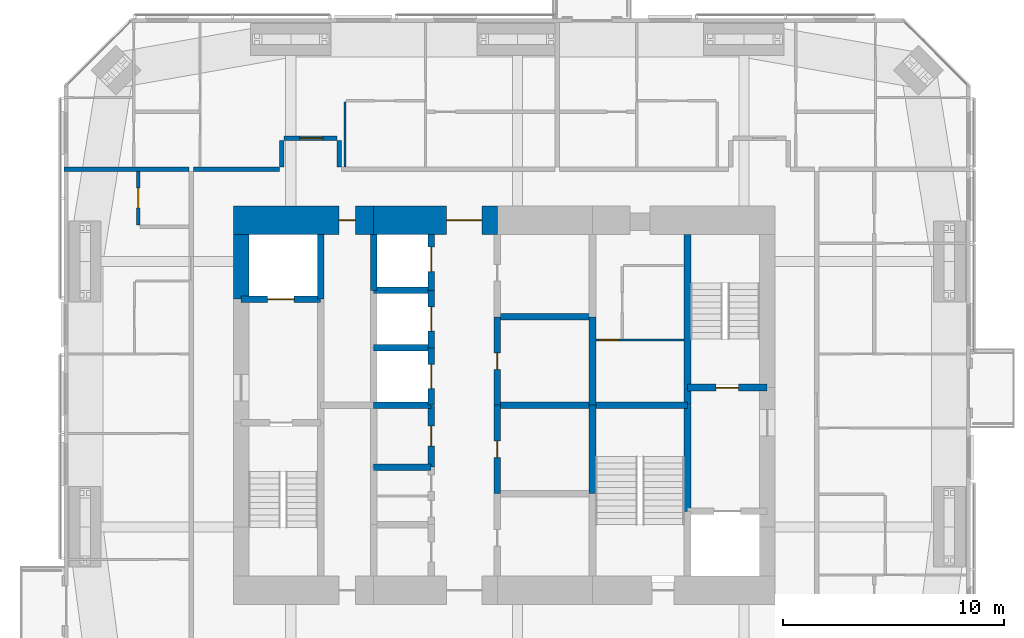
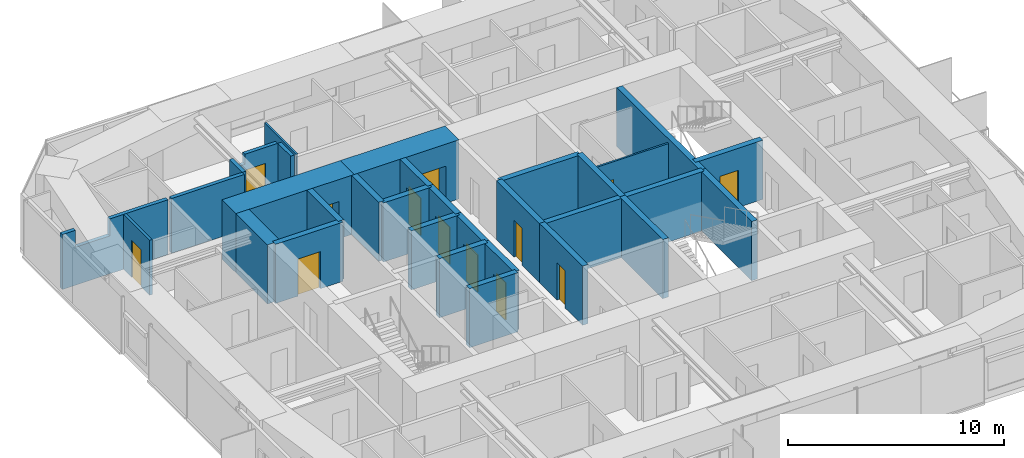
# One storey, part 18 of 23: 32 walls, 13 doors, 13 openings.
"""IFC4 building model written with IfcOpenShell, lengths in metres."""

import ifcopenshell
import ifcopenshell.guid

model = None  # the IFC model being written
_history = None  # IfcOwnerHistory: only IFC2X3 demands one
_inside = {}  # id of a spatial element -> (the spatial element, [elements in it])
_under = {}  # id of a project, library or spatial element -> (it, [spatial elements below it])
_declared = {}  # id of a project -> (the project, [libraries it declares])
_typed = {}  # id of a type object -> (the type object, [elements of that type])
_made_of = {}  # id of a material, layer set ... -> (it, [elements and type objects made of it])


def new_model(schema):
    """Start an empty IFC model of exactly this schema.

    Asked for "IFC4X3", IfcOpenShell would pick the latest addendum, in which some entities
    have other attributes; the version numbers below select the first issue.
    IFC2X3 requires an IfcOwnerHistory on every rooted entity: one is made here for all.
    """
    global model, _history
    if schema == "IFC4X3":
        model = ifcopenshell.file(schema_version=(4, 3, 0, 0))
    else:
        model = ifcopenshell.file(schema=schema)
    _inside.clear()
    _under.clear()
    _declared.clear()
    _typed.clear()
    _made_of.clear()
    _history = None
    if model.schema == "IFC2X3":
        org = make("IfcOrganization", Name="unknown")
        user = make(
            "IfcPersonAndOrganization",
            ThePerson=make("IfcPerson", FamilyName="unknown"),
            TheOrganization=org,
        )
        app = make(
            "IfcApplication",
            ApplicationDeveloper=org,
            Version="unknown",
            ApplicationFullName="unknown",
            ApplicationIdentifier="unknown",
        )
        _history = make(
            "IfcOwnerHistory",
            OwningUser=user,
            OwningApplication=app,
            ChangeAction="ADDED",
            CreationDate=0,
        )
    return model


def make(cls, **values):
    """One entity of the class cls with the attributes given. An attribute that is None is left unset."""
    return model.create_entity(
        cls, **{name: value for name, value in values.items() if value is not None}
    )


def rooted(cls, **values):
    """An entity with a GlobalId (a new one), such as an element, a storey or a relation."""
    return make(cls, GlobalId=ifcopenshell.guid.new(), OwnerHistory=_history, **values)


def si_unit(unit_type, name, prefix=None):
    """IfcSIUnit, for example si_unit("LENGTHUNIT", "METRE", prefix="MILLI")."""
    return make("IfcSIUnit", UnitType=unit_type, Prefix=prefix, Name=name)


def assignment(units):
    """IfcUnitAssignment: the units of a project."""
    return None if units is None else make("IfcUnitAssignment", Units=units)


def point(xyz):
    """IfcCartesianPoint."""
    return None if xyz is None else make("IfcCartesianPoint", Coordinates=xyz)


def direction(xyz):
    """IfcDirection."""
    return None if xyz is None else make("IfcDirection", DirectionRatios=xyz)


def frame(location, z_axis=None, x_axis=None):
    """IfcAxis2Placement3D, a coordinate frame: its origin and axes. An axis left out is left unset."""
    return make(
        "IfcAxis2Placement3D",
        Location=point(location),
        Axis=direction(z_axis),
        RefDirection=direction(x_axis),
    )


def frame_2d(location, x_axis=None):
    """IfcAxis2Placement2D, a coordinate frame in the plane: its origin and x axis."""
    return make(
        "IfcAxis2Placement2D", Location=point(location), RefDirection=direction(x_axis)
    )


def origin():
    """The frame at (0, 0, 0) with its axes left unset."""
    return frame((0.0, 0.0, 0.0))


def place(relative_to, where):
    """IfcLocalPlacement: puts the frame where relative to a parent placement (None: the world)."""
    return make(
        "IfcLocalPlacement", PlacementRelTo=relative_to, RelativePlacement=where
    )


def context(
    kind, dimensions, precision=None, world=None, true_north=None, identifier=None
):
    """IfcGeometricRepresentationContext, for example the 3D "Model" context."""
    return make(
        "IfcGeometricRepresentationContext",
        ContextIdentifier=identifier,
        ContextType=kind,
        CoordinateSpaceDimension=dimensions,
        Precision=precision,
        WorldCoordinateSystem=world,
        TrueNorth=true_north,
    )


def subcontext(parent, identifier, kind, view, scale=None):
    """IfcGeometricRepresentationSubContext, for example "Body" below "Model"."""
    return make(
        "IfcGeometricRepresentationSubContext",
        ContextIdentifier=identifier,
        ContextType=kind,
        ParentContext=parent,
        TargetScale=scale,
        TargetView=view,
    )


def project(units=None, contexts=None):
    """IfcProject with its units and contexts."""
    return rooted(
        "IfcProject",
        Name="project",
        RepresentationContexts=contexts,
        UnitsInContext=assignment(units),
    )


def spatial(cls, under=None, at=None, **own):
    """A site, building, storey or space (cls), placed at a placement, below another one or the project."""
    s = rooted(cls, ObjectPlacement=at, **own)
    if under is not None:
        _under.setdefault(under.id(), (under, []))[1].append(s)
    return s


def polyline(points):
    """IfcPolyline through the points."""
    return make("IfcPolyline", Points=[point(p) for p in points])


def profile(cls, at=None, kind="AREA", **sizes):
    """A parametric profile (cls). Its sizes go by their IFC names, for example OverallWidth=200.0."""
    return make(cls, ProfileType=kind, Position=at, **sizes)


def rectangle(**sizes):
    """IfcRectangleProfileDef."""
    return profile("IfcRectangleProfileDef", **sizes)


def outline(outer, holes=None, kind="AREA"):
    """IfcArbitraryClosedProfileDef: a profile drawn as a closed curve; with holes, ...WithVoids."""
    if holes is None:
        return make("IfcArbitraryClosedProfileDef", ProfileType=kind, OuterCurve=outer)
    return make(
        "IfcArbitraryProfileDefWithVoids",
        ProfileType=kind,
        OuterCurve=outer,
        InnerCurves=holes,
    )


def extrude(swept, where, along, depth):
    """IfcExtrudedAreaSolid: the profile swept, set in the frame where, extruded along a direction by depth."""
    return make(
        "IfcExtrudedAreaSolid",
        SweptArea=swept,
        Position=where,
        ExtrudedDirection=direction(along),
        Depth=depth,
    )


def shape(context_of_items, identifier, shape_type, items):
    """IfcShapeRepresentation: the items that make up one representation, for example the "Body"."""
    return make(
        "IfcShapeRepresentation",
        ContextOfItems=context_of_items,
        RepresentationIdentifier=identifier,
        RepresentationType=shape_type,
        Items=items,
    )


def material(Name=None, Category=None):
    """IfcMaterial."""
    return make("IfcMaterial", Name=Name, Category=Category)


def layer(
    of_material, thickness, ventilated=None, Name=None, Category=None, Priority=None
):
    """IfcMaterialLayer: one layer of a wall or slab, of a material (None: an air gap)."""
    return make(
        "IfcMaterialLayer",
        Material=of_material,
        LayerThickness=thickness,
        IsVentilated=ventilated,
        Name=Name,
        Category=Category,
        Priority=Priority,
    )


def layer_set(layers, Name=None):
    """IfcMaterialLayerSet."""
    return make("IfcMaterialLayerSet", MaterialLayers=layers, LayerSetName=Name)


def constituent(of_material, Name=None, Category=None, fraction=None):
    """IfcMaterialConstituent: one of the materials an element consists of."""
    return make(
        "IfcMaterialConstituent",
        Name=Name,
        Material=of_material,
        Fraction=fraction,
        Category=Category,
    )


def constituent_set(constituents=None, Name=None):
    """IfcMaterialConstituentSet."""
    return make(
        "IfcMaterialConstituentSet", Name=Name, MaterialConstituents=constituents
    )


def made_of(thing, what):
    """Note that an element or type object is made of a material, layer set ...; save() writes the relation."""
    if what is not None:
        _made_of.setdefault(what.id(), (what, []))[1].append(thing)
    return thing


def type_object(cls, material=None, **own):
    """A type object (cls), such as IfcWallType, which elements share."""
    return made_of(rooted(cls, **own), material)


def element(
    cls,
    number,
    at=None,
    inside=None,
    cuts=None,
    type_object=None,
    material=None,
    context=None,
    identifier="Body",
    shape_type=None,
    held_by="IfcProductDefinitionShape",
    body=None,
    shapes=None,
    **own,
):
    """One element of the class cls, such as IfcWall. Its Tag is "e" and its number.

    at: its placement. inside: the storey or other place that contains it. cuts: it is an
    opening in that element (IfcRelVoidsElement). A single representation is given by context,
    identifier, shape_type and body (its items); several are given by shapes. held_by: the class
    of the entity that holds the representations. save() writes the other relations.
    """
    e = rooted(cls, Tag="e%d" % number, ObjectPlacement=at, **own)
    if body is not None:
        shapes = [shape(context, identifier, shape_type, body)]
    if shapes is not None:
        e.Representation = make(held_by, Representations=shapes)
    if inside is not None:
        _inside.setdefault(inside.id(), (inside, []))[1].append(e)
    if cuts is not None:
        rooted(
            "IfcRelVoidsElement", RelatingBuildingElement=cuts, RelatedOpeningElement=e
        )
    if type_object is not None:
        _typed.setdefault(type_object.id(), (type_object, []))[1].append(e)
    return made_of(e, material)


def fill(opening, filler):
    """IfcRelFillsElement: the door or window that sits in an opening."""
    return rooted(
        "IfcRelFillsElement",
        RelatingOpeningElement=opening,
        RelatedBuildingElement=filler,
    )


def aggregate(whole, parts):
    """IfcRelAggregates: a whole, such as a stair, and the parts it consists of."""
    return rooted("IfcRelAggregates", RelatingObject=whole, RelatedObjects=parts)


def save(model, path):
    """Write the relations noted so far, then the file.

    IfcRelAggregates (storeys below a building ...), IfcRelContainedInSpatialStructure (elements
    in a storey), IfcRelDefinesByType, IfcRelAssociatesMaterial and IfcRelDeclares: one each for
    every whole, place, type object, material and project.
    """
    for whole, parts in _under.values():
        aggregate(whole, parts)
    for where, things in _inside.values():
        rooted(
            "IfcRelContainedInSpatialStructure",
            RelatedElements=things,
            RelatingStructure=where,
        )
    for kind, things in _typed.values():
        rooted("IfcRelDefinesByType", RelatedObjects=things, RelatingType=kind)
    for what, things in _made_of.values():
        rooted("IfcRelAssociatesMaterial", RelatedObjects=things, RelatingMaterial=what)
    for by, libraries in _declared.values():
        rooted("IfcRelDeclares", RelatingContext=by, RelatedDefinitions=libraries)
    model.write(path)


model = new_model("IFC4")

# Units and contexts
model_context = context("Model", 3, precision=1e-05, world=origin(), true_north=direction((0.0, 1.0)))
body_context = subcontext(model_context, "Body", "Model", "MODEL_VIEW")
ifc_project = project(units=[si_unit("LENGTHUNIT", "METRE"), si_unit("AREAUNIT", "SQUARE_METRE"), si_unit("VOLUMEUNIT", "CUBIC_METRE"), si_unit("PLANEANGLEUNIT", "RADIAN"), si_unit("MASSUNIT", "GRAM", prefix="KILO")], contexts=[model_context])

# Site, building, storey
site_placement = place(None, origin())
site = spatial("IfcSite", under=ifc_project, at=site_placement, CompositionType="ELEMENT")
building_placement = place(site_placement, origin())
building = spatial("IfcBuilding", under=site, at=building_placement, Name="Jalousie Tower", CompositionType="ELEMENT")
storey_placement = place(building_placement, frame((0.0, 0.0, 197.89990234375)))
storey = spatial("IfcBuildingStorey", under=building, at=storey_placement, Name="L54", CompositionType="ELEMENT", Elevation=197.89990234375)

# Wall, opening, door
ifc_material_1 = material(Name="Concrete block ASTM C90", Category="concrete")
ifc_constituent_1 = constituent(ifc_material_1, Name="Body")
ifc_material_2 = material(Name="Render")
ifc_constituent_2 = constituent(ifc_material_2, Name="Finish")
ifc_constituent_set_1 = constituent_set(constituents=[ifc_constituent_1, ifc_constituent_2])
wall_type_1 = type_object("IfcWallType", Name="BATHROOM WALL 150", PredefinedType="PLUMBINGWALL", material=ifc_constituent_set_1)
wall_1_placement = place(storey_placement, frame((15.35009765625, 26.64990234375, 0.0), z_axis=(0.0, 0.0, 1.0), x_axis=(0.0, 1.0, 0.0)))
wall_1 = element("IfcWall", 1, at=wall_1_placement, inside=storey, type_object=wall_type_1, Name="Bathroom Wall 150 L54", PredefinedType="PLUMBINGWALL", context=body_context, shape_type="SweptSolid", body=[
    extrude(rectangle(XDim=2.425048828125, YDim=0.14990234375, at=frame_2d((1.21240234375, 0.0))), origin(), (0.0, 0.0, 1.0), 3.110107421875),
])
opening_1_placement = place(wall_1_placement, frame((0.77490234375, 0.0, 0.0)))
opening_1 = element("IfcOpeningElement", 2, at=opening_1_placement, cuts=wall_1, Name="Opening D3", PredefinedType="OPENING", context=body_context, shape_type="SweptSolid", body=[
    extrude(rectangle(XDim=0.89990234375, YDim=2.10009765625, at=frame_2d((0.449951171875, 1.050048828125))), frame((0.0, 0.0849609375, 0.0), z_axis=(0.0, -1.0, 0.0), x_axis=(1.0, 0.0, 0.0)), (0.0, 0.0, 1.0), 0.169921875),
])
ifc_material_3 = material(Name="Timber door", Category="wood")
door_type_1 = type_object("IfcDoorType", Name="BATHROOM DOOR 900", OperationType="SINGLE_SWING_LEFT", PredefinedType="DOOR", material=ifc_material_3)
door_1_placement = place(opening_1_placement, frame((0.89990234375, 0.0, 0.0), z_axis=(0.0, 0.0, 1.0), x_axis=(-1.0, 0.0, 0.0)))
door_1 = element("IfcDoor", 3, at=door_1_placement, inside=storey, type_object=door_type_1, Name="Apartment 5406 bathroom door", OperationType="SINGLE_SWING_LEFT", OverallHeight=2.10009765625, OverallWidth=0.89990234375, PredefinedType="DOOR", context=body_context, shape_type="SweptSolid", body=[
    extrude(rectangle(XDim=0.89990234375, YDim=2.10009765625, at=frame_2d((0.449951171875, 1.050048828125))), frame((0.0, 0.02490234375, 0.0), z_axis=(0.0, -1.0, 0.0), x_axis=(1.0, 0.0, 0.0)), (0.0, 0.0, 1.0), 0.050048828125),
])
fill(opening_1, door_1)

ifc_material_4 = material(Name="Concrete f'c 120 MPa", Category="concrete")
ifc_layer_1 = layer(ifc_material_4, 1.300048828125)
ifc_layer_set_1 = layer_set([ifc_layer_1], Name="Concrete f'c 120 MPa")
wall_type_2 = type_object("IfcWallType", Name="CORE WALL 1300", PredefinedType="SHEAR", material=ifc_layer_set_1)
wall_2_placement = place(storey_placement, frame((31.60009765625, 26.875, 0.0), z_axis=(0.0, 0.0, 1.0), x_axis=(-1.0, 0.0, 0.0)))
wall_2 = element("IfcWall", 4, at=wall_2_placement, inside=storey, type_object=wall_type_2, Name="Core wall NC L54", PredefinedType="SHEAR", context=body_context, shape_type="SweptSolid", body=[
    extrude(rectangle(XDim=5.60009765625, YDim=1.300048828125, at=frame_2d((2.800048828125, 0.0))), origin(), (0.0, 0.0, 1.0), 3.35009765625),
])
opening_2_placement = place(wall_2_placement, frame((0.699951171875, 0.0, 0.0)))
opening_2 = element("IfcOpeningElement", 5, at=opening_2_placement, cuts=wall_2, Name="Opening D15", PredefinedType="OPENING", context=body_context, shape_type="SweptSolid", body=[
    extrude(rectangle(XDim=1.60009765625, YDim=2.10009765625, at=frame_2d((0.800048828125, 1.050048828125))), frame((0.0, 0.659912109375, 0.0), z_axis=(0.0, -1.0, 0.0), x_axis=(1.0, 0.0, 0.0)), (0.0, 0.0, 1.0), 1.320068359375),
])
ifc_material_5 = material(Name="Steel fire door", Category="steel")
door_type_2 = type_object("IfcDoorType", Name="LIFT LOBBY DOOR 1600", OperationType="DOUBLE_DOOR_SINGLE_SWING", PredefinedType="DOOR", material=ifc_material_5)
door_2_placement = place(opening_2_placement, origin())
door_2 = element("IfcDoor", 6, at=door_2_placement, inside=storey, type_object=door_type_2, Name="Lift lobby north door", OperationType="DOUBLE_DOOR_SINGLE_SWING", OverallHeight=2.10009765625, OverallWidth=1.60009765625, PredefinedType="DOOR", context=body_context, shape_type="SweptSolid", body=[
    extrude(rectangle(XDim=1.60009765625, YDim=2.10009765625, at=frame_2d((0.800048828125, 1.050048828125))), frame((0.0, 0.02490234375, 0.0), z_axis=(0.0, -1.0, 0.0), x_axis=(1.0, 0.0, 0.0)), (0.0, 0.0, 1.0), 0.050048828125),
])
fill(opening_2, door_2)

wall_3_placement = place(storey_placement, frame((26.0, 26.875, 0.0), z_axis=(0.0, 0.0, 1.0), x_axis=(-1.0, 0.0, 0.0)))
wall_3 = element("IfcWall", 7, at=wall_3_placement, inside=storey, type_object=wall_type_2, Name="Core wall ND L54", PredefinedType="SHEAR", context=body_context, shape_type="SweptSolid", body=[
    extrude(rectangle(XDim=6.35009765625, YDim=1.300048828125, at=frame_2d((3.175048828125, 0.0))), origin(), (0.0, 0.0, 1.0), 3.35009765625),
])
opening_3_placement = place(wall_3_placement, frame((0.824951171875, 0.0, 0.0)))
opening_3 = element("IfcOpeningElement", 8, at=opening_3_placement, cuts=wall_3, Name="Opening D16", PredefinedType="OPENING", context=body_context, shape_type="SweptSolid", body=[
    extrude(rectangle(XDim=0.75, YDim=2.10009765625, at=frame_2d((0.375, 1.050048828125))), frame((0.0, 0.659912109375, 0.0), z_axis=(0.0, -1.0, 0.0), x_axis=(1.0, 0.0, 0.0)), (0.0, 0.0, 1.0), 1.320068359375),
])
ifc_material_6 = material(Name="Steel fire door", Category="steel")
door_type_3 = type_object("IfcDoorType", Name="RISER DOOR 750", OperationType="SINGLE_SWING_LEFT", PredefinedType="DOOR", material=ifc_material_6)
door_3_placement = place(opening_3_placement, origin())
door_3 = element("IfcDoor", 9, at=door_3_placement, inside=storey, type_object=door_type_3, Name="North riser door", OperationType="SINGLE_SWING_RIGHT", OverallHeight=2.10009765625, OverallWidth=0.75, PredefinedType="DOOR", context=body_context, shape_type="SweptSolid", body=[
    extrude(rectangle(XDim=0.75, YDim=2.10009765625, at=frame_2d((0.375, 1.050048828125))), frame((0.0, 0.02490234375, 0.0), z_axis=(0.0, -1.0, 0.0), x_axis=(1.0, 0.0, 0.0)), (0.0, 0.0, 1.0), 0.050048828125),
])
fill(opening_3, door_3)

# Walls
ifc_material_7 = material(Name="Concrete f'c 120 MPa", Category="concrete")
ifc_layer_2 = layer(ifc_material_7, 0.300048828125)
ifc_layer_set_2 = layer_set([ifc_layer_2], Name="Concrete f'c 120 MPa")
wall_type_3 = type_object("IfcWallType", Name="CORE WALL 300", PredefinedType="SHEAR", material=ifc_layer_set_2)
wall_4_placement = place(storey_placement, frame((23.60009765625, 23.300048828125, 0.0), z_axis=(0.0, 0.0, 1.0), x_axis=(0.0, 1.0, 0.0)))
element("IfcWall", 10, at=wall_4_placement, inside=storey, type_object=wall_type_3, Name="Core wall X23.6C L54", PredefinedType="SHEAR", context=body_context, shape_type="SweptSolid", body=[
    extrude(rectangle(XDim=2.925048828125, YDim=0.300048828125, at=frame_2d((1.46240234375, 0.0))), origin(), (0.0, 0.0, 1.0), 3.35009765625),
])
wall_5_placement = place(storey_placement, frame((26.0, 23.699951171875, 0.0), z_axis=(0.0, 0.0, 1.0), x_axis=(0.0, 1.0, 0.0)))
element("IfcWall", 11, at=wall_5_placement, inside=storey, type_object=wall_type_3, Name="Core wall X26F L54", PredefinedType="SHEAR", context=body_context, shape_type="SweptSolid", body=[
    extrude(rectangle(XDim=2.525146484375, YDim=0.300048828125, at=frame_2d((1.2626953125, 0.0))), origin(), (0.0, 0.0, 1.0), 3.35009765625),
])

# Wall, opening, door
wall_6_placement = place(storey_placement, frame((28.60009765625, 15.699951171875, 0.0), z_axis=(0.0, 0.0, 1.0), x_axis=(0.0, 1.0, 0.0)))
wall_6 = element("IfcWall", 12, at=wall_6_placement, inside=storey, type_object=wall_type_3, Name="Core wall X28.6C L54", PredefinedType="SHEAR", context=body_context, shape_type="SweptSolid", body=[
    extrude(rectangle(XDim=2.800048828125, YDim=0.300048828125, at=frame_2d((1.39990234375, 0.0))), origin(), (0.0, 0.0, 1.0), 3.35009765625),
])
opening_4_placement = place(wall_6_placement, frame((0.949951171875, 0.0, 0.0)))
opening_4 = element("IfcOpeningElement", 13, at=opening_4_placement, cuts=wall_6, Name="Opening D24", PredefinedType="OPENING", context=body_context, shape_type="SweptSolid", body=[
    extrude(rectangle(XDim=0.89990234375, YDim=2.10009765625, at=frame_2d((0.449951171875, 1.050048828125))), frame((0.0, 0.159912109375, 0.0), z_axis=(0.0, -1.0, 0.0), x_axis=(1.0, 0.0, 0.0)), (0.0, 0.0, 1.0), 0.320068359375),
])
ifc_material_8 = material(Name="Steel fire door", Category="steel")
door_type_4 = type_object("IfcDoorType", Name="CORE ROOM DOOR 900", OperationType="SINGLE_SWING_LEFT", PredefinedType="DOOR", material=ifc_material_8)
door_4_placement = place(opening_4_placement, origin())
door_4 = element("IfcDoor", 14, at=door_4_placement, inside=storey, type_object=door_type_4, Name="IT room door", OperationType="SINGLE_SWING_LEFT", OverallHeight=2.10009765625, OverallWidth=0.89990234375, PredefinedType="DOOR", context=body_context, shape_type="SweptSolid", body=[
    extrude(rectangle(XDim=0.89990234375, YDim=2.10009765625, at=frame_2d((0.449951171875, 1.050048828125))), frame((0.0, 0.02490234375, 0.0), z_axis=(0.0, -1.0, 0.0), x_axis=(1.0, 0.0, 0.0)), (0.0, 0.0, 1.0), 0.050048828125),
])
fill(opening_4, door_4)

wall_7_placement = place(storey_placement, frame((28.60009765625, 18.5, 0.0), z_axis=(0.0, 0.0, 1.0), x_axis=(0.0, 1.0, 0.0)))
wall_7 = element("IfcWall", 15, at=wall_7_placement, inside=storey, type_object=wall_type_3, Name="Core wall X28.6D L54", PredefinedType="SHEAR", context=body_context, shape_type="SweptSolid", body=[
    extrude(rectangle(XDim=2.60009765625, YDim=0.300048828125, at=frame_2d((1.300048828125, 0.0))), origin(), (0.0, 0.0, 1.0), 3.35009765625),
])
opening_5_placement = place(wall_7_placement, frame((0.75, 0.0, 0.0)))
opening_5 = element("IfcOpeningElement", 16, at=opening_5_placement, cuts=wall_7, Name="Opening LD1", PredefinedType="OPENING", context=body_context, shape_type="SweptSolid", body=[
    extrude(rectangle(XDim=1.10009765625, YDim=2.10009765625, at=frame_2d((0.550048828125, 1.050048828125))), frame((0.0, 0.159912109375, 0.0), z_axis=(0.0, -1.0, 0.0), x_axis=(1.0, 0.0, 0.0)), (0.0, 0.0, 1.0), 0.320068359375),
])
ifc_material_9 = material(Name="Steel lift landing door", Category="steel")
door_type_5 = type_object("IfcDoorType", Name="LIFT LANDING DOOR 1100", OperationType="SLIDING_TO_LEFT", PredefinedType="DOOR", material=ifc_material_9)
door_5_placement = place(opening_5_placement, origin())
door_5 = element("IfcDoor", 17, at=door_5_placement, inside=storey, type_object=door_type_5, Name="Lift P4 landing door", OperationType="SLIDING_TO_LEFT", OverallHeight=2.10009765625, OverallWidth=1.10009765625, PredefinedType="DOOR", context=body_context, shape_type="SweptSolid", body=[
    extrude(rectangle(XDim=1.10009765625, YDim=2.10009765625, at=frame_2d((0.550048828125, 1.050048828125))), frame((0.0, 0.02490234375, 0.0), z_axis=(0.0, -1.0, 0.0), x_axis=(1.0, 0.0, 0.0)), (0.0, 0.0, 1.0), 0.050048828125),
])
fill(opening_5, door_5)

wall_8_placement = place(storey_placement, frame((28.60009765625, 21.10009765625, 0.0), z_axis=(0.0, 0.0, 1.0), x_axis=(0.0, 1.0, 0.0)))
wall_8 = element("IfcWall", 18, at=wall_8_placement, inside=storey, type_object=wall_type_3, Name="Core wall X28.6E L54", PredefinedType="SHEAR", context=body_context, shape_type="SweptSolid", body=[
    extrude(rectangle(XDim=2.599853515625, YDim=0.300048828125, at=frame_2d((1.2998046875, 0.0))), origin(), (0.0, 0.0, 1.0), 3.35009765625),
])
opening_6_placement = place(wall_8_placement, frame((0.75, 0.0, 0.0)))
opening_6 = element("IfcOpeningElement", 19, at=opening_6_placement, cuts=wall_8, Name="Opening LD1", PredefinedType="OPENING", context=body_context, shape_type="SweptSolid", body=[
    extrude(rectangle(XDim=1.10009765625, YDim=2.10009765625, at=frame_2d((0.550048828125, 1.050048828125))), frame((0.0, 0.159912109375, 0.0), z_axis=(0.0, -1.0, 0.0), x_axis=(1.0, 0.0, 0.0)), (0.0, 0.0, 1.0), 0.320068359375),
])
door_6_placement = place(opening_6_placement, origin())
door_6 = element("IfcDoor", 20, at=door_6_placement, inside=storey, type_object=door_type_5, Name="Lift P5 landing door", OperationType="SLIDING_TO_LEFT", OverallHeight=2.10009765625, OverallWidth=1.10009765625, PredefinedType="DOOR", context=body_context, shape_type="SweptSolid", body=[
    extrude(rectangle(XDim=1.10009765625, YDim=2.10009765625, at=frame_2d((0.550048828125, 1.050048828125))), frame((0.0, 0.02490234375, 0.0), z_axis=(0.0, -1.0, 0.0), x_axis=(1.0, 0.0, 0.0)), (0.0, 0.0, 1.0), 0.050048828125),
])
fill(opening_6, door_6)

wall_9_placement = place(storey_placement, frame((28.60009765625, 23.699951171875, 0.0), z_axis=(0.0, 0.0, 1.0), x_axis=(0.0, 1.0, 0.0)))
wall_9 = element("IfcWall", 21, at=wall_9_placement, inside=storey, type_object=wall_type_3, Name="Core wall X28.6F L54", PredefinedType="SHEAR", context=body_context, shape_type="SweptSolid", body=[
    extrude(rectangle(XDim=2.525146484375, YDim=0.300048828125, at=frame_2d((1.2626953125, 0.0))), origin(), (0.0, 0.0, 1.0), 3.35009765625),
])
opening_7_placement = place(wall_9_placement, frame((0.85009765625, 0.0, 0.0)))
opening_7 = element("IfcOpeningElement", 22, at=opening_7_placement, cuts=wall_9, Name="Opening LD1", PredefinedType="OPENING", context=body_context, shape_type="SweptSolid", body=[
    extrude(rectangle(XDim=1.10009765625, YDim=2.10009765625, at=frame_2d((0.550048828125, 1.050048828125))), frame((0.0, 0.159912109375, 0.0), z_axis=(0.0, -1.0, 0.0), x_axis=(1.0, 0.0, 0.0)), (0.0, 0.0, 1.0), 0.320068359375),
])
door_7_placement = place(opening_7_placement, origin())
door_7 = element("IfcDoor", 23, at=door_7_placement, inside=storey, type_object=door_type_5, Name="Lift P6 landing door", OperationType="SLIDING_TO_LEFT", OverallHeight=2.10009765625, OverallWidth=1.10009765625, PredefinedType="DOOR", context=body_context, shape_type="SweptSolid", body=[
    extrude(rectangle(XDim=1.10009765625, YDim=2.10009765625, at=frame_2d((0.550048828125, 1.050048828125))), frame((0.0, 0.02490234375, 0.0), z_axis=(0.0, -1.0, 0.0), x_axis=(1.0, 0.0, 0.0)), (0.0, 0.0, 1.0), 0.050048828125),
])
fill(opening_7, door_7)

wall_10_placement = place(storey_placement, frame((31.60009765625, 14.5, 0.0), z_axis=(0.0, 0.0, 1.0), x_axis=(0.0, 1.0, 0.0)))
wall_10 = element("IfcWall", 24, at=wall_10_placement, inside=storey, type_object=wall_type_3, Name="Core wall X31.6B L54", PredefinedType="SHEAR", context=body_context, shape_type="SweptSolid", body=[
    extrude(rectangle(XDim=4.0, YDim=0.300048828125, at=frame_2d((2.0, 0.0))), origin(), (0.0, 0.0, 1.0), 3.35009765625),
])
opening_8_placement = place(wall_10_placement, frame((1.625, 0.0, 0.0)))
opening_8 = element("IfcOpeningElement", 25, at=opening_8_placement, cuts=wall_10, Name="Opening D16", PredefinedType="OPENING", context=body_context, shape_type="SweptSolid", body=[
    extrude(rectangle(XDim=0.75, YDim=2.10009765625, at=frame_2d((0.375, 1.050048828125))), frame((0.0, 0.159912109375, 0.0), z_axis=(0.0, -1.0, 0.0), x_axis=(1.0, 0.0, 0.0)), (0.0, 0.0, 1.0), 0.320068359375),
])
door_8_placement = place(opening_8_placement, frame((0.75, 0.0, 0.0), z_axis=(0.0, 0.0, 1.0), x_axis=(-1.0, 0.0, 0.0)))
door_8 = element("IfcDoor", 26, at=door_8_placement, inside=storey, type_object=door_type_3, Name="Electrical Room door", OperationType="SINGLE_SWING_RIGHT", OverallHeight=2.10009765625, OverallWidth=0.75, PredefinedType="DOOR", context=body_context, shape_type="SweptSolid", body=[
    extrude(rectangle(XDim=0.75, YDim=2.10009765625, at=frame_2d((0.375, 1.050048828125))), frame((0.0, 0.02490234375, 0.0), z_axis=(0.0, -1.0, 0.0), x_axis=(1.0, 0.0, 0.0)), (0.0, 0.0, 1.0), 0.050048828125),
])
fill(opening_8, door_8)

wall_11_placement = place(storey_placement, frame((31.60009765625, 18.5, 0.0), z_axis=(0.0, 0.0, 1.0), x_axis=(0.0, 1.0, 0.0)))
wall_11 = element("IfcWall", 27, at=wall_11_placement, inside=storey, type_object=wall_type_3, Name="Core wall X31.6C L54", PredefinedType="SHEAR", context=body_context, shape_type="SweptSolid", body=[
    extrude(rectangle(XDim=4.0, YDim=0.300048828125, at=frame_2d((2.0, 0.0))), origin(), (0.0, 0.0, 1.0), 3.35009765625),
])
opening_9_placement = place(wall_11_placement, frame((1.625, 0.0, 0.0)))
opening_9 = element("IfcOpeningElement", 28, at=opening_9_placement, cuts=wall_11, Name="Opening D16", PredefinedType="OPENING", context=body_context, shape_type="SweptSolid", body=[
    extrude(rectangle(XDim=0.75, YDim=2.10009765625, at=frame_2d((0.375, 1.050048828125))), frame((0.0, 0.159912109375, 0.0), z_axis=(0.0, -1.0, 0.0), x_axis=(1.0, 0.0, 0.0)), (0.0, 0.0, 1.0), 0.320068359375),
])
door_9_placement = place(opening_9_placement, frame((0.75, 0.0, 0.0), z_axis=(0.0, 0.0, 1.0), x_axis=(-1.0, 0.0, 0.0)))
door_9 = element("IfcDoor", 29, at=door_9_placement, inside=storey, type_object=door_type_3, Name="Telecom Room door", OperationType="SINGLE_SWING_RIGHT", OverallHeight=2.10009765625, OverallWidth=0.75, PredefinedType="DOOR", context=body_context, shape_type="SweptSolid", body=[
    extrude(rectangle(XDim=0.75, YDim=2.10009765625, at=frame_2d((0.375, 1.050048828125))), frame((0.0, 0.02490234375, 0.0), z_axis=(0.0, -1.0, 0.0), x_axis=(1.0, 0.0, 0.0)), (0.0, 0.0, 1.0), 0.050048828125),
])
fill(opening_9, door_9)

# Walls
for number, where, z_axis, x_axis, name in (
    (30, (35.89990234375, 14.5, 0.0), (0.0, 0.0, 1.0), (0.0, 1.0, 0.0), "Core wall X35.9B L54"),
    (31, (35.89990234375, 18.5, 0.0), (0.0, 0.0, 1.0), (0.0, 1.0, 0.0), "Core wall X35.9C L54"),
):
    element("IfcWall", number, at=place(storey_placement, frame(where, z_axis=z_axis, x_axis=x_axis)), inside=storey, type_object=wall_type_3, Name=name, PredefinedType="SHEAR", context=body_context, shape_type="SweptSolid", body=[
        extrude(rectangle(XDim=4.0, YDim=0.300048828125, at=frame_2d((2.0, 0.0))), origin(), (0.0, 0.0, 1.0), 3.35009765625),
    ])
wall_12_placement = place(storey_placement, frame((40.199951171875, 13.699951171875, 0.0), z_axis=(0.0, 0.0, 1.0), x_axis=(0.0, 1.0, 0.0)))
element("IfcWall", 32, at=wall_12_placement, inside=storey, type_object=wall_type_3, Name="Core wall X40.2B L54", PredefinedType="SHEAR", context=body_context, shape_type="SweptSolid", body=[
    extrude(rectangle(XDim=4.800048828125, YDim=0.300048828125, at=frame_2d((2.39990234375, 0.0))), origin(), (0.0, 0.0, 1.0), 3.35009765625),
])
wall_13_placement = place(storey_placement, frame((40.199951171875, 18.5, 0.0), z_axis=(0.0, 0.0, 1.0), x_axis=(0.0, 1.0, 0.0)))
element("IfcWall", 33, at=wall_13_placement, inside=storey, type_object=wall_type_3, Name="Core wall X40.2C L54", PredefinedType="SHEAR", context=body_context, shape_type="SweptSolid", body=[
    extrude(rectangle(XDim=7.72509765625, YDim=0.300048828125, at=frame_2d((3.862548828125, 0.0))), origin(), (0.0, 0.0, 1.0), 3.35009765625),
])

# Wall, opening, door
wall_14_placement = place(storey_placement, frame((20.0, 23.300048828125, 0.0), z_axis=(0.0, 0.0, 1.0), x_axis=(1.0, 0.0, 0.0)))
wall_14 = element("IfcWall", 34, at=wall_14_placement, inside=storey, type_object=wall_type_3, Name="Core wall Y20-23.3 L54", PredefinedType="SHEAR", context=body_context, shape_type="SweptSolid", body=[
    extrude(rectangle(XDim=3.60009765625, YDim=0.300048828125, at=frame_2d((1.800048828125, 0.0))), origin(), (0.0, 0.0, 1.0), 3.35009765625),
])
opening_10_placement = place(wall_14_placement, frame((1.199951171875, 0.0, 0.0)))
opening_10 = element("IfcOpeningElement", 35, at=opening_10_placement, cuts=wall_14, Name="Opening LD2", PredefinedType="OPENING", context=body_context, shape_type="SweptSolid", body=[
    extrude(rectangle(XDim=1.199951171875, YDim=2.10009765625, at=frame_2d((0.60009765625, 1.050048828125))), frame((0.0, 0.159912109375, 0.0), z_axis=(0.0, -1.0, 0.0), x_axis=(1.0, 0.0, 0.0)), (0.0, 0.0, 1.0), 0.320068359375),
])
ifc_material_10 = material(Name="Steel lift landing door", Category="steel")
door_type_6 = type_object("IfcDoorType", Name="LIFT LANDING DOOR 1200", OperationType="SLIDING_TO_LEFT", PredefinedType="DOOR", material=ifc_material_10)
door_10_placement = place(opening_10_placement, origin())
door_10 = element("IfcDoor", 36, at=door_10_placement, inside=storey, type_object=door_type_6, Name="Lift F1 landing door", OperationType="SLIDING_TO_LEFT", OverallHeight=2.10009765625, OverallWidth=1.199951171875, PredefinedType="DOOR", context=body_context, shape_type="SweptSolid", body=[
    extrude(rectangle(XDim=1.199951171875, YDim=2.10009765625, at=frame_2d((0.60009765625, 1.050048828125))), frame((0.0, 0.02490234375, 0.0), z_axis=(0.0, -1.0, 0.0), x_axis=(1.0, 0.0, 0.0)), (0.0, 0.0, 1.0), 0.050048828125),
])
fill(opening_10, door_10)

# Walls
for number, where, z_axis, x_axis, name in (
    (37, (26.0, 15.699951171875, 0.0), (0.0, 0.0, 1.0), (1.0, 0.0, 0.0), "Core wall Y26-15.7 L54"),
    (38, (26.0, 18.5, 0.0), (0.0, 0.0, 1.0), (1.0, 0.0, 0.0), "Core wall Y26-18.5 L54"),
    (39, (26.0, 21.10009765625, 0.0), (0.0, 0.0, 1.0), (1.0, 0.0, 0.0), "Core wall Y26-21.1 L54"),
    (40, (26.0, 23.699951171875, 0.0), (0.0, 0.0, 1.0), (1.0, 0.0, 0.0), "Core wall Y26-23.7 L54"),
):
    element("IfcWall", number, at=place(storey_placement, frame(where, z_axis=z_axis, x_axis=x_axis)), inside=storey, type_object=wall_type_3, Name=name, PredefinedType="SHEAR", context=body_context, shape_type="SweptSolid", body=[
        extrude(rectangle(XDim=2.60009765625, YDim=0.300048828125, at=frame_2d((1.300048828125, 0.0))), origin(), (0.0, 0.0, 1.0), 3.35009765625),
    ])
for number, where, z_axis, x_axis, name in (
    (41, (31.60009765625, 18.5, 0.0), (0.0, 0.0, 1.0), (1.0, 0.0, 0.0), "Core wall Y31.6-18.5 L54"),
    (42, (31.60009765625, 22.5, 0.0), (0.0, 0.0, 1.0), (1.0, 0.0, 0.0), "Core wall Y31.6-22.5 L54"),
):
    element("IfcWall", number, at=place(storey_placement, frame(where, z_axis=z_axis, x_axis=x_axis)), inside=storey, type_object=wall_type_3, Name=name, PredefinedType="SHEAR", context=body_context, shape_type="SweptSolid", body=[
        extrude(rectangle(XDim=4.2998046875, YDim=0.300048828125, at=frame_2d((2.14990234375, 0.0))), origin(), (0.0, 0.0, 1.0), 3.35009765625),
    ])
wall_15_placement = place(storey_placement, frame((35.89990234375, 18.5, 0.0), z_axis=(0.0, 0.0, 1.0), x_axis=(1.0, 0.0, 0.0)))
element("IfcWall", 43, at=wall_15_placement, inside=storey, type_object=wall_type_3, Name="Core wall Y35.9-18.5 L54", PredefinedType="SHEAR", context=body_context, shape_type="SweptSolid", body=[
    extrude(rectangle(XDim=4.300048828125, YDim=0.300048828125, at=frame_2d((2.14990234375, 0.0))), origin(), (0.0, 0.0, 1.0), 3.35009765625),
])

# Wall, opening, door
wall_16_placement = place(storey_placement, frame((40.199951171875, 19.300048828125, 0.0), z_axis=(0.0, 0.0, 1.0), x_axis=(1.0, 0.0, 0.0)))
wall_16 = element("IfcWall", 44, at=wall_16_placement, inside=storey, type_object=wall_type_3, Name="Core wall Y40.2-19.3 L54", PredefinedType="SHEAR", context=body_context, shape_type="SweptSolid", body=[
    extrude(rectangle(XDim=3.60009765625, YDim=0.300048828125, at=frame_2d((1.800048828125, 0.0))), origin(), (0.0, 0.0, 1.0), 3.35009765625),
])
opening_11_placement = place(wall_16_placement, frame((1.300048828125, 0.0, 0.0)))
opening_11 = element("IfcOpeningElement", 45, at=opening_11_placement, cuts=wall_16, Name="Opening D10", PredefinedType="OPENING", context=body_context, shape_type="SweptSolid", body=[
    extrude(rectangle(XDim=1.0, YDim=2.10009765625, at=frame_2d((0.5, 1.050048828125))), frame((0.0, 0.159912109375, 0.0), z_axis=(0.0, -1.0, 0.0), x_axis=(1.0, 0.0, 0.0)), (0.0, 0.0, 1.0), 0.320068359375),
])
ifc_material_11 = material(Name="Steel fire door", Category="steel")
door_type_7 = type_object("IfcDoorType", Name="STAIR DOOR 1000", OperationType="SINGLE_SWING_LEFT", PredefinedType="DOOR", material=ifc_material_11)
door_11_placement = place(opening_11_placement, origin())
door_11 = element("IfcDoor", 46, at=door_11_placement, inside=storey, type_object=door_type_7, Name="Exit stair B door", OperationType="SINGLE_SWING_RIGHT", OverallHeight=2.10009765625, OverallWidth=1.0, PredefinedType="DOOR", context=body_context, shape_type="SweptSolid", body=[
    extrude(rectangle(XDim=1.0, YDim=2.10009765625, at=frame_2d((0.5, 1.050048828125))), frame((0.0, 0.02490234375, 0.0), z_axis=(0.0, -1.0, 0.0), x_axis=(1.0, 0.0, 0.0)), (0.0, 0.0, 1.0), 0.050048828125),
])
fill(opening_11, door_11)

# Walls
ifc_material_12 = material(Name="Concrete f'c 120 MPa", Category="concrete")
ifc_layer_3 = layer(ifc_material_12, 0.699951171875)
ifc_layer_set_3 = layer_set([ifc_layer_3], Name="Concrete f'c 120 MPa")
wall_type_4 = type_object("IfcWallType", Name="CORE WALL 700", PredefinedType="SHEAR", material=ifc_layer_set_3)
wall_17_placement = place(storey_placement, frame((20.0, 26.22509765625, 0.0), z_axis=(0.0, 0.0, 1.0), x_axis=(0.0, -1.0, 0.0)))
element("IfcWall", 47, at=wall_17_placement, inside=storey, type_object=wall_type_4, Name="Core wall WA L54", PredefinedType="SHEAR", context=body_context, shape_type="SweptSolid", body=[
    extrude(rectangle(XDim=2.925048828125, YDim=0.699951171875, at=frame_2d((1.46240234375, 0.0))), origin(), (0.0, 0.0, 1.0), 3.35009765625),
])
ifc_material_13 = material(Name="Concrete block ASTM C90", Category="concrete")
ifc_constituent_3 = constituent(ifc_material_13, Name="Body")
ifc_material_14 = material(Name="Render")
ifc_constituent_4 = constituent(ifc_material_14, Name="Finish")
ifc_constituent_set_2 = constituent_set(constituents=[ifc_constituent_3, ifc_constituent_4])
wall_type_5 = type_object("IfcWallType", Name="CORRIDOR WALL 200", PredefinedType="PARTITIONING", material=ifc_constituent_set_2)
wall_18_placement = place(storey_placement, frame((17.85009765625, 29.175048828125, 0.0), z_axis=(0.0, 0.0, 1.0), x_axis=(1.0, 0.0, 0.0)))
element("IfcWall", 48, at=wall_18_placement, inside=storey, type_object=wall_type_5, Name="Corridor Wall 200 L54", PredefinedType="PARTITIONING", context=body_context, shape_type="SweptSolid", body=[
    extrude(rectangle(XDim=3.89990234375, YDim=0.199951171875, at=frame_2d((1.949951171875, 0.0))), origin(), (0.0, 0.0, 1.0), 3.110107421875),
])

# Wall, opening, door
wall_19_placement = place(storey_placement, frame((21.949951171875, 30.574951171875, 0.0), z_axis=(0.0, 0.0, 1.0), x_axis=(1.0, 0.0, 0.0)))
wall_19 = element("IfcWall", 49, at=wall_19_placement, inside=storey, type_object=wall_type_5, Name="Corridor Wall 200 L54", PredefinedType="PARTITIONING", context=body_context, shape_type="SweptSolid", body=[
    extrude(outline(polyline([(0.0, 0.0), (2.400146484375, 0.0), (2.39990234375, 3.110107421875), (0.63720703125, 3.110107421875), (0.63720703125, 2.541015625), (0.0, 2.541015625), (0.0, 3.110107421875), (0.0, 0.0)])), frame((0.0, 0.10009765625, 0.0), z_axis=(0.0, -1.0, 0.0), x_axis=(1.0, 0.0, 0.0)), (0.0, 0.0, 1.0), 0.199951171875),
])
opening_12_placement = place(wall_19_placement, frame((0.699951171875, 0.0, 0.0)))
opening_12 = element("IfcOpeningElement", 50, at=opening_12_placement, cuts=wall_19, Name="Opening D1", PredefinedType="OPENING", context=body_context, shape_type="SweptSolid", body=[
    extrude(rectangle(XDim=1.050048828125, YDim=2.199951171875, at=frame_2d((0.52490234375, 1.10009765625))), frame((0.0, 0.10986328125, 0.0), z_axis=(0.0, -1.0, 0.0), x_axis=(1.0, 0.0, 0.0)), (0.0, 0.0, 1.0), 0.219970703125),
])
ifc_material_15 = material(Name="Timber fire door", Category="wood")
door_type_8 = type_object("IfcDoorType", Name="APARTMENT ENTRANCE DOOR 1050", OperationType="SINGLE_SWING_LEFT", PredefinedType="DOOR", material=ifc_material_15)
door_12_placement = place(opening_12_placement, origin())
door_12 = element("IfcDoor", 51, at=door_12_placement, inside=storey, type_object=door_type_8, Name="Apartment 5404 entrance", OperationType="SINGLE_SWING_RIGHT", OverallHeight=2.199951171875, OverallWidth=1.050048828125, PredefinedType="DOOR", context=body_context, shape_type="SweptSolid", body=[
    extrude(rectangle(XDim=1.050048828125, YDim=2.199951171875, at=frame_2d((0.52490234375, 1.10009765625))), frame((0.0, 0.02490234375, 0.0), z_axis=(0.0, -1.0, 0.0), x_axis=(1.0, 0.0, 0.0)), (0.0, 0.0, 1.0), 0.050048828125),
])
fill(opening_12, door_12)

# Walls
for number, where, z_axis, x_axis, name in (
    (52, (21.85009765625, 29.27490234375, 0.0), (0.0, 0.0, 1.0), (0.0, 1.0, 0.0), "Corridor Wall 200 L54"),
    (53, (24.449951171875, 29.27490234375, 0.0), (0.0, 0.0, 1.0), (0.0, 1.0, 0.0), "Corridor Wall 200 L54"),
):
    element("IfcWall", number, at=place(storey_placement, frame(where, z_axis=z_axis, x_axis=x_axis)), inside=storey, type_object=wall_type_5, Name=name, PredefinedType="PARTITIONING", context=body_context, shape_type="SweptSolid", body=[
        extrude(rectangle(XDim=1.2001953125, YDim=0.199951171875, at=frame_2d((0.60009765625, 0.0))), origin(), (0.0, 0.0, 1.0), 3.110107421875),
    ])
ifc_material_16 = material(Name="Gypsum board", Category="gypsum")
ifc_constituent_5 = constituent(ifc_material_16, Name="Body")
ifc_material_17 = material(Name="Light-gauge steel studs ASTM A653 SS Grade 33", Category="steel")
ifc_constituent_6 = constituent(ifc_material_17, Name="Framing")
ifc_constituent_set_3 = constituent_set(constituents=[ifc_constituent_5, ifc_constituent_6])
wall_type_6 = type_object("IfcWallType", Name="PARTITION 100", PredefinedType="PARTITIONING", material=ifc_constituent_set_3)
wall_20_placement = place(storey_placement, frame((24.699951171875, 32.22509765625, 0.0), z_axis=(0.0, 0.0, 1.0), x_axis=(0.0, -1.0, 0.0)))
element("IfcWall", 54, at=wall_20_placement, inside=storey, type_object=wall_type_6, Name="Partition 100 L54", PredefinedType="PARTITIONING", context=body_context, shape_type="SweptSolid", body=[
    extrude(rectangle(XDim=2.9501953125, YDim=0.10009765625, at=frame_2d((1.47509765625, 0.0))), origin(), (0.0, 0.0, 1.0), 3.110107421875),
])

# Wall, opening, door
wall_21_placement = place(storey_placement, frame((36.050048828125, 21.449951171875, 0.0), z_axis=(0.0, 0.0, 1.0), x_axis=(1.0, 0.0, 0.0)))
wall_21 = element("IfcWall", 55, at=wall_21_placement, inside=storey, type_object=wall_type_6, Name="Partition 100 L54", PredefinedType="PARTITIONING", context=body_context, shape_type="SweptSolid", body=[
    extrude(rectangle(XDim=4.0, YDim=0.10009765625, at=frame_2d((2.0, 0.0))), origin(), (0.0, 0.0, 1.0), 3.110107421875),
])
opening_13_placement = place(wall_21_placement, frame((0.14990234375, 0.0, 0.0)))
opening_13 = element("IfcOpeningElement", 56, at=opening_13_placement, cuts=wall_21, Name="Opening D7", PredefinedType="OPENING", context=body_context, shape_type="SweptSolid", body=[
    extrude(rectangle(XDim=0.89990234375, YDim=2.10009765625, at=frame_2d((0.449951171875, 1.050048828125))), frame((0.0, 0.06005859375, 0.0), z_axis=(0.0, -1.0, 0.0), x_axis=(1.0, 0.0, 0.0)), (0.0, 0.0, 1.0), 0.1201171875),
])
ifc_material_18 = material(Name="Timber door", Category="wood")
door_type_9 = type_object("IfcDoorType", Name="INTERNAL DOOR 900", OperationType="SINGLE_SWING_LEFT", PredefinedType="DOOR", material=ifc_material_18)
door_13_placement = place(opening_13_placement, frame((0.89990234375, 0.0, 0.0), z_axis=(0.0, 0.0, 1.0), x_axis=(-1.0, 0.0, 0.0)))
door_13 = element("IfcDoor", 57, at=door_13_placement, inside=storey, type_object=door_type_9, Name="Linen store door", OperationType="SINGLE_SWING_RIGHT", OverallHeight=2.10009765625, OverallWidth=0.89990234375, PredefinedType="DOOR", context=body_context, shape_type="SweptSolid", body=[
    extrude(rectangle(XDim=0.89990234375, YDim=2.10009765625, at=frame_2d((0.449951171875, 1.050048828125))), frame((0.0, 0.02490234375, 0.0), z_axis=(0.0, -1.0, 0.0), x_axis=(1.0, 0.0, 0.0)), (0.0, 0.0, 1.0), 0.050048828125),
])
fill(opening_13, door_13)

# Wall
ifc_material_19 = material(Name="Concrete block ASTM C90", Category="concrete")
ifc_constituent_7 = constituent(ifc_material_19, Name="Body")
ifc_material_20 = material(Name="Render")
ifc_constituent_8 = constituent(ifc_material_20, Name="Finish")
ifc_constituent_set_4 = constituent_set(constituents=[ifc_constituent_7, ifc_constituent_8])
wall_type_7 = type_object("IfcWallType", Name="PARTY WALL 200", PredefinedType="PARTITIONING", material=ifc_constituent_set_4)
wall_22_placement = place(storey_placement, frame((12.0, 29.175048828125, 0.0), z_axis=(0.0, 0.0, 1.0), x_axis=(1.0, 0.0, 0.0)))
element("IfcWall", 58, at=wall_22_placement, inside=storey, type_object=wall_type_7, Name="Party Wall 200 L54", PredefinedType="PARTITIONING", context=body_context, shape_type="SweptSolid", body=[
    extrude(outline(polyline([(0.0, 0.0), (5.64990234375, 0.0), (5.64990234375, 3.110107421875), (2.546630859375, 3.110107421875), (2.546630859375, 2.150146484375), (0.703125, 2.150146484375), (0.703125, 3.110107421875), (0.0, 3.110107421875), (0.0, 0.0)])), frame((0.0, 0.10009765625, 0.0), z_axis=(0.0, -1.0, 0.0), x_axis=(1.0, 0.0, 0.0)), (0.0, 0.0, 1.0), 0.199951171875),
])

save(model, "model.ifc")
